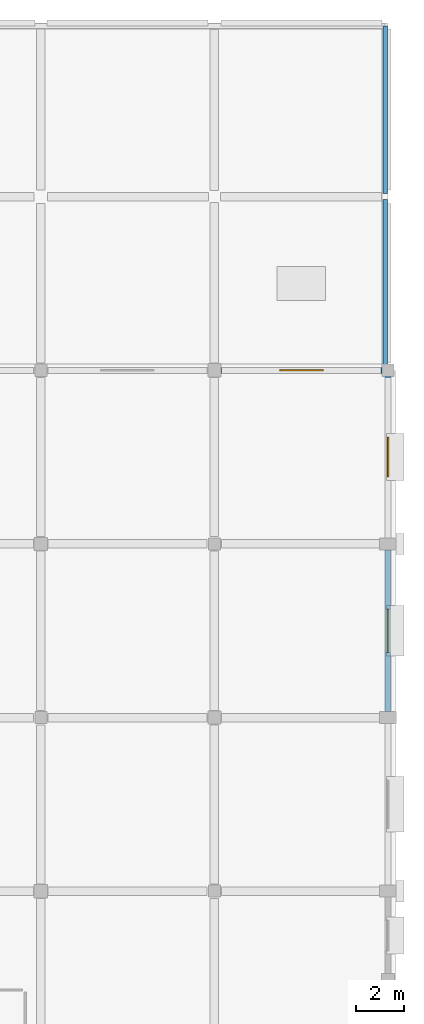
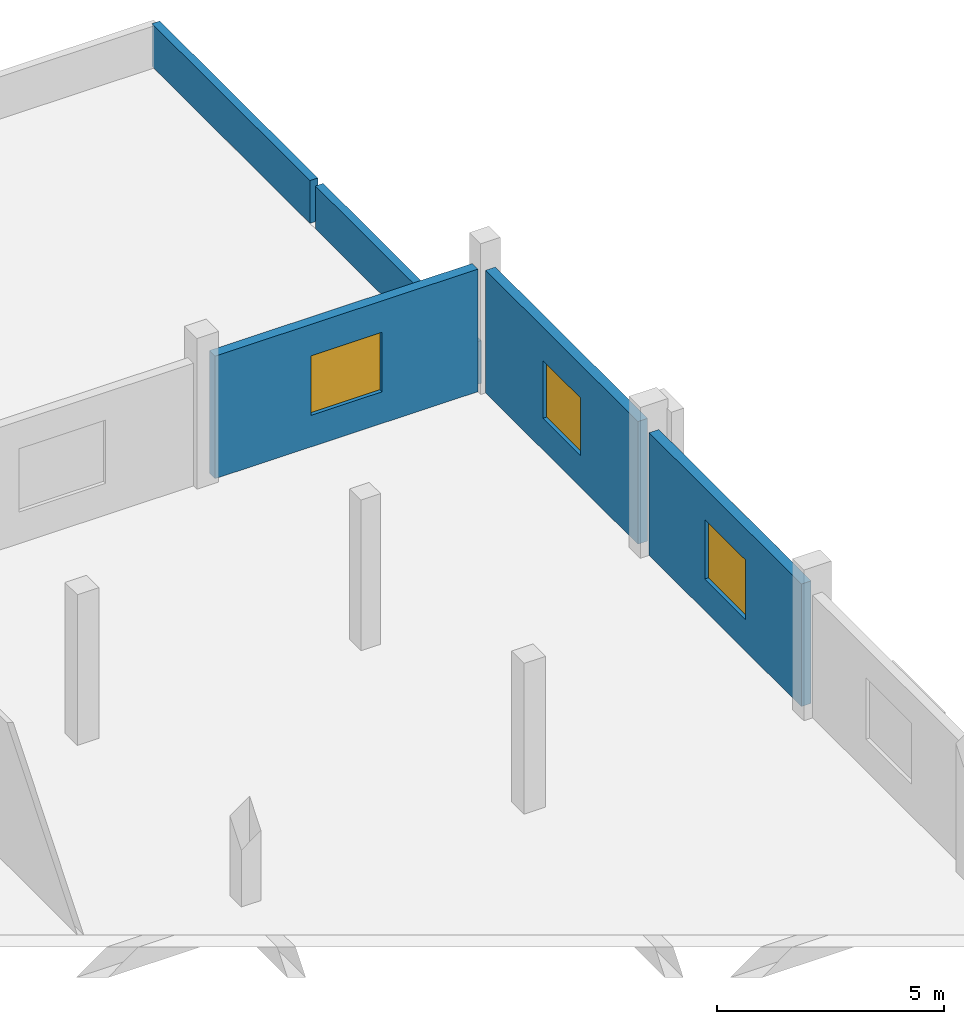
# One storey, part 19 of 26: 5 walls, 3 windows, 3 openings.
"""IFC4 building model written with IfcOpenShell, lengths in metres."""

from ifc_helpers import new_model, si_unit, direction, frame, frame_2d, origin, place, context, subcontext, project, spatial, rectangle, extrude, material, layer, layer_set, type_object, element, fill, save


model = new_model("IFC4")

# Units and contexts
model_context = context("Model", 3, precision=1e-05, world=origin(), true_north=direction((0.0, 1.0)))
body_context = subcontext(model_context, "Body", "Model", "MODEL_VIEW")
ifc_project = project(units=[si_unit("LENGTHUNIT", "METRE"), si_unit("AREAUNIT", "SQUARE_METRE"), si_unit("VOLUMEUNIT", "CUBIC_METRE"), si_unit("PLANEANGLEUNIT", "RADIAN"), si_unit("MASSUNIT", "GRAM", prefix="KILO")], contexts=[model_context])

# Site, building, storey
site_placement = place(None, origin())
site = spatial("IfcSite", under=ifc_project, at=site_placement, CompositionType="ELEMENT")
building_placement = place(site_placement, origin())
building = spatial("IfcBuilding", under=site, at=building_placement, Name="Kangsadwip Square Police Headquarters", CompositionType="ELEMENT")
storey_placement = place(building_placement, frame((0.0, 0.0, 25.64990234375)))
storey = spatial("IfcBuildingStorey", under=building, at=storey_placement, Name="L06", CompositionType="ELEMENT", Elevation=25.64990234375)

# Wall, opening, window
ifc_material_1 = material(Name="Glazed architectural terracotta masonry rainscreen", Category="masonry")
ifc_layer_1 = layer(ifc_material_1, 0.25)
ifc_layer_set_1 = layer_set([ifc_layer_1], Name="Glazed architectural terracotta masonry rainscreen")
wall_type_1 = type_object("IfcWallType", Name="ChicagoTerracottaWall250", PredefinedType="SOLIDWALL", material=ifc_layer_set_1)
wall_1_placement = place(storey_placement, frame((158.669921875, 100.800048828125, 0.0), z_axis=(0.0, 0.0, 1.0), x_axis=(1.0, 0.0, 0.0)))
wall_1 = element("IfcWall", 1, at=wall_1_placement, inside=storey, type_object=wall_type_1, Name="Exterior Wall WE-L06-545", PredefinedType="SOLIDWALL", context=body_context, shape_type="SweptSolid", body=[
    extrude(rectangle(XDim=6.68505859375, YDim=0.25, at=frame_2d((3.342529296875, 0.0))), origin(), (0.0, 0.0, 1.0), 3.295166015625),
])
opening_1_placement = place(wall_1_placement, frame((2.4423828125, 0.0, 0.85009765625)))
opening_1 = element("IfcOpeningElement", 2, at=opening_1_placement, cuts=wall_1, Name="Opening WN-10", PredefinedType="OPENING", context=body_context, shape_type="SweptSolid", body=[
    extrude(rectangle(XDim=1.800048828125, YDim=1.60009765625, at=frame_2d((0.89990234375, 0.800048828125))), frame((0.0, 0.135009765625, 0.0), z_axis=(0.0, -1.0, 0.0), x_axis=(1.0, 0.0, 0.0)), (0.0, 0.0, 1.0), 0.27001953125),
])
ifc_material_2 = material(Name="Double-glazed solar-control low-E safety glass", Category="glass")
window_type_1 = type_object("IfcWindowType", Name="LabCleanViewWin1800x1600", PartitioningType="DOUBLE_PANEL_VERTICAL", PredefinedType="WINDOW", material=ifc_material_2)
window_1_placement = place(opening_1_placement, origin())
window_1 = element("IfcWindow", 3, at=window_1_placement, inside=storey, type_object=window_type_1, Name="Window WN-L06-0394", OverallHeight=1.60009765625, OverallWidth=1.800048828125, PartitioningType="SINGLE_PANEL", PredefinedType="WINDOW", context=body_context, shape_type="SweptSolid", body=[
    extrude(rectangle(XDim=1.800048828125, YDim=1.60009765625, at=frame_2d((0.89990234375, 0.800048828125))), frame((0.0, 0.030029296875, 0.0), z_axis=(0.0, -1.0, 0.0), x_axis=(1.0, 0.0, 0.0)), (0.0, 0.0, 1.0), 0.06005859375),
])
fill(opening_1, window_1)

wall_2_placement = place(storey_placement, frame((165.60009765625, 86.64501953125, 0.0), z_axis=(0.0, 0.0, 1.0), x_axis=(0.0, 1.0, 0.0)))
wall_2 = element("IfcWall", 4, at=wall_2_placement, inside=storey, type_object=wall_type_1, Name="Exterior Wall WE-L06-579", PredefinedType="SOLIDWALL", context=body_context, shape_type="SweptSolid", body=[
    extrude(rectangle(XDim=6.7099609375, YDim=0.25, at=frame_2d((3.35498046875, 0.0))), origin(), (0.0, 0.0, 1.0), 3.295166015625),
])
opening_2_placement = place(wall_2_placement, frame((2.455078125, 0.0, 0.85009765625)))
opening_2 = element("IfcOpeningElement", 5, at=opening_2_placement, cuts=wall_2, Name="Opening WN-10", PredefinedType="OPENING", context=body_context, shape_type="SweptSolid", body=[
    extrude(rectangle(XDim=1.800048828125, YDim=1.60009765625, at=frame_2d((0.89990234375, 0.800048828125))), frame((0.0, 0.135009765625, 0.0), z_axis=(0.0, -1.0, 0.0), x_axis=(1.0, 0.0, 0.0)), (0.0, 0.0, 1.0), 0.27001953125),
])
window_2_placement = place(opening_2_placement, origin())
window_2 = element("IfcWindow", 6, at=window_2_placement, inside=storey, type_object=window_type_1, Name="Window WN-L06-0428", OverallHeight=1.60009765625, OverallWidth=1.800048828125, PartitioningType="SINGLE_PANEL", PredefinedType="WINDOW", context=body_context, shape_type="SweptSolid", body=[
    extrude(rectangle(XDim=1.800048828125, YDim=1.60009765625, at=frame_2d((0.89990234375, 0.800048828125))), frame((0.0, 0.030029296875, 0.0), z_axis=(0.0, -1.0, 0.0), x_axis=(1.0, 0.0, 0.0)), (0.0, 0.0, 1.0), 0.06005859375),
])
fill(opening_2, window_2)

wall_3_placement = place(storey_placement, frame((165.60009765625, 93.844970703125, 0.0), z_axis=(0.0, 0.0, 1.0), x_axis=(0.0, 1.0, 0.0)))
wall_3 = element("IfcWall", 7, at=wall_3_placement, inside=storey, type_object=wall_type_1, Name="Exterior Wall WE-L06-580", PredefinedType="SOLIDWALL", context=body_context, shape_type="SweptSolid", body=[
    extrude(rectangle(XDim=6.7099609375, YDim=0.25, at=frame_2d((3.35498046875, 0.0))), origin(), (0.0, 0.0, 1.0), 3.295166015625),
])
opening_3_placement = place(wall_3_placement, frame((2.530029296875, 0.0, 0.85009765625)))
opening_3 = element("IfcOpeningElement", 8, at=opening_3_placement, cuts=wall_3, Name="Opening WN-11", PredefinedType="OPENING", context=body_context, shape_type="SweptSolid", body=[
    extrude(rectangle(XDim=1.64990234375, YDim=1.550048828125, at=frame_2d((0.824951171875, 0.77490234375))), frame((0.0, 0.135009765625, 0.0), z_axis=(0.0, -1.0, 0.0), x_axis=(1.0, 0.0, 0.0)), (0.0, 0.0, 1.0), 0.27001953125),
])
ifc_material_3 = material(Name="Double-glazed solar-control low-E safety glass", Category="glass")
window_type_2 = type_object("IfcWindowType", Name="LabCleanViewWin1650x1550", PartitioningType="SINGLE_PANEL", PredefinedType="WINDOW", material=ifc_material_3)
window_3_placement = place(opening_3_placement, origin())
window_3 = element("IfcWindow", 9, at=window_3_placement, inside=storey, type_object=window_type_2, Name="Window WN-L06-0429", OverallHeight=1.550048828125, OverallWidth=1.64990234375, PartitioningType="SINGLE_PANEL", PredefinedType="WINDOW", context=body_context, shape_type="SweptSolid", body=[
    extrude(rectangle(XDim=1.64990234375, YDim=1.550048828125, at=frame_2d((0.824951171875, 0.77490234375))), frame((0.0, 0.030029296875, 0.0), z_axis=(0.0, -1.0, 0.0), x_axis=(1.0, 0.0, 0.0)), (0.0, 0.0, 1.0), 0.06005859375),
])
fill(opening_3, window_3)

# Walls
ifc_material_4 = material(Name="Concrete M35 (35 MPa)", Category="concrete")
ifc_layer_2 = layer(ifc_material_4, 0.199951171875)
ifc_layer_set_2 = layer_set([ifc_layer_2], Name="Concrete M35 (35 MPa)")
wall_type_2 = type_object("IfcWallType", Name="RoofParapetWall200", PredefinedType="PARAPET", material=ifc_layer_set_2)
for number, where, z_axis, x_axis, name in (
    (10, (165.47998046875, 100.919921875, 0.0), (0.0, 0.0, 1.0), (0.0, 1.0, 0.0), "Exterior Wall WE-L06-644"),
    (11, (165.47998046875, 108.1201171875, 0.0), (0.0, 0.0, 1.0), (0.0, 1.0, 0.0), "Exterior Wall WE-L06-646"),
):
    element("IfcWall", number, at=place(storey_placement, frame(where, z_axis=z_axis, x_axis=x_axis)), inside=storey, type_object=wall_type_2, Name=name, PredefinedType="PARAPET", context=body_context, shape_type="SweptSolid", body=[
        extrude(rectangle(XDim=6.9599609375, YDim=0.199951171875, at=frame_2d((3.47998046875, 0.0))), origin(), (0.0, 0.0, 1.0), 1.150146484375),
    ])

save(model, "model.ifc")
